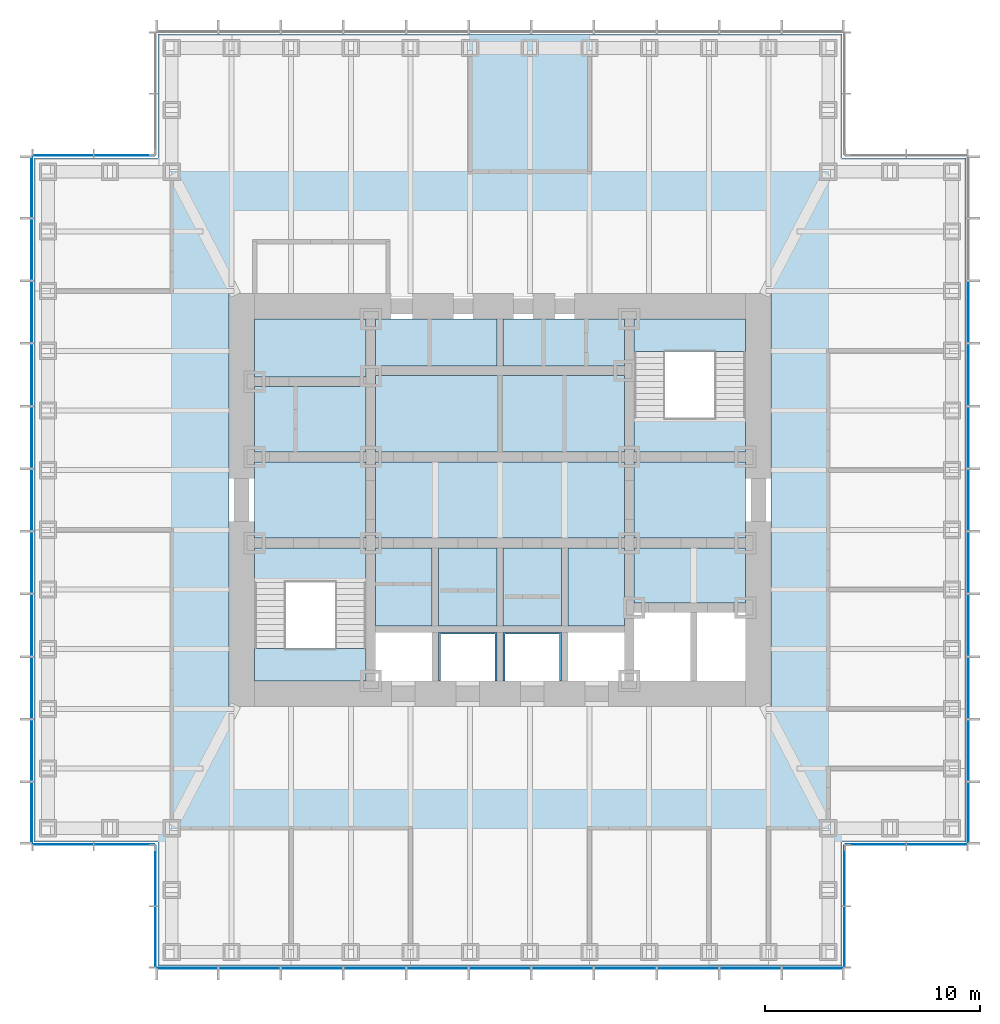
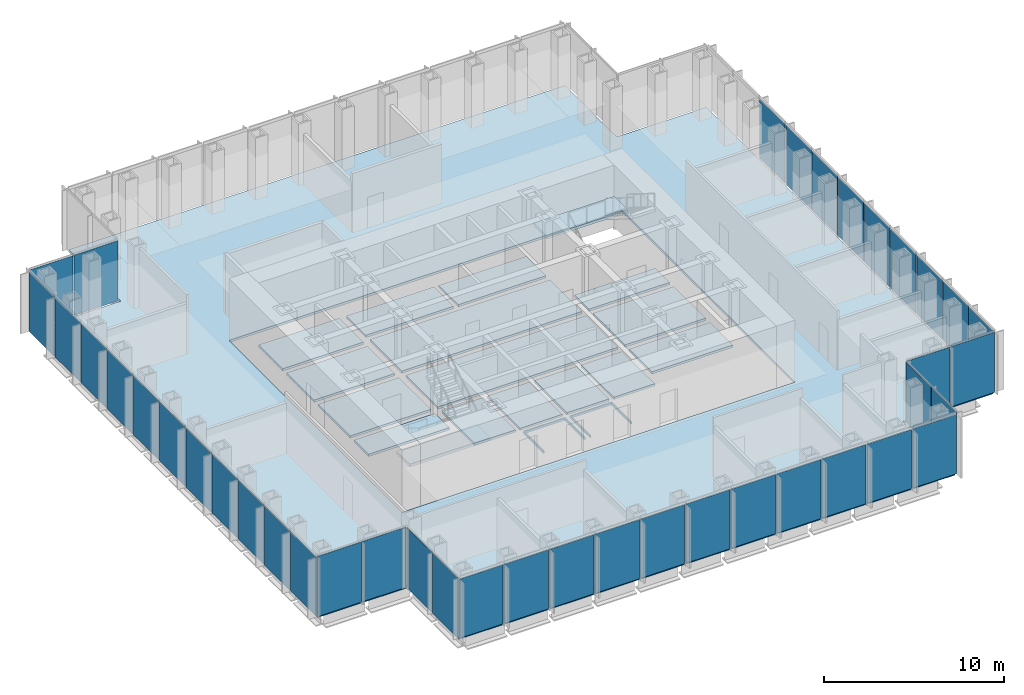
# One storey, part 7 of 16: 41 plates, 20 slabs, 10 elements without a shape of their own.
"""IFC4 building model written with IfcOpenShell, lengths in metres."""

from ifc_helpers import new_model, si_unit, direction, frame, origin, origin_2d, place, context, subcontext, project, spatial, polyline, rectangle, outline, extrude, material, layer, layer_set, type_object, element, aggregate, save


model = new_model("IFC4")

# Units and contexts
model_context = context("Model", 3, precision=1e-05, world=origin(), true_north=direction((0.0, 1.0)))
body_context = subcontext(model_context, "Body", "Model", "MODEL_VIEW")
ifc_project = project(units=[si_unit("LENGTHUNIT", "METRE"), si_unit("AREAUNIT", "SQUARE_METRE"), si_unit("VOLUMEUNIT", "CUBIC_METRE"), si_unit("PLANEANGLEUNIT", "RADIAN"), si_unit("MASSUNIT", "GRAM", prefix="KILO")], contexts=[model_context])

# Site, building, storey
site_placement = place(None, origin())
site = spatial("IfcSite", under=ifc_project, at=site_placement, CompositionType="ELEMENT")
building_placement = place(site_placement, origin())
building = spatial("IfcBuilding", under=site, at=building_placement, Name="Daluyong Arena Tower", CompositionType="ELEMENT")
storey_placement = place(building_placement, frame((0.0, 0.0, 267.10009765625)))
storey = spatial("IfcBuildingStorey", under=building, at=storey_placement, Name="L60", CompositionType="ELEMENT", Elevation=267.10009765625)

# Curtain wall, plates
ifc_material_1 = material(Name="Bronze anodised aluminium and glass", Category="aluminium")
curtain_wall_type_1 = type_object("IfcCurtainWallType", Name="Curtain wall CW4", PredefinedType="USERDEFINED", material=ifc_material_1)
curtain_wall_1_placement = place(storey_placement, origin())
curtain_wall_1 = element("IfcCurtainWall", 1, at=curtain_wall_1_placement, inside=storey, type_object=curtain_wall_type_1, Name="curtain wall L60 S", ObjectType="UNITISED CURTAIN WALL", PredefinedType="USERDEFINED")
ifc_material_2 = material(Name="Tinted laminated double glazed unit", Category="glass")
ifc_layer_1 = layer(ifc_material_2, 0.035888671875)
ifc_layer_set_1 = layer_set([ifc_layer_1], Name="Tinted laminated double glazed unit")
plate_type_1 = type_object("IfcPlateType", Name="CW4 panel 36", PredefinedType="CURTAIN_PANEL", material=ifc_layer_set_1)
plate_1_placement = place(storey_placement, frame((41.47705078125, 58.25, 0.0), z_axis=(0.0, 0.0, 1.0), x_axis=(1.0, 0.0, 0.0)))
plate_1 = element("IfcPlate", 2, at=plate_1_placement, type_object=plate_type_1, Name="curtain wall L60 S panel 1", PredefinedType="CURTAIN_PANEL", context=body_context, shape_type="SweptSolid", body=[
    extrude(rectangle(XDim=2.774169921875, YDim=0.035888671875, at=origin_2d()), origin(), (0.0, 0.0, 1.0), 4.0),
])
plate_2_placement = place(storey_placement, frame((44.363525390625, 58.25, 0.0), z_axis=(0.0, 0.0, 1.0), x_axis=(1.0, 0.0, 0.0)))
plate_2 = element("IfcPlate", 3, at=plate_2_placement, type_object=plate_type_1, Name="curtain wall L60 S panel 2", PredefinedType="CURTAIN_PANEL", context=body_context, shape_type="SweptSolid", body=[
    extrude(rectangle(XDim=2.819091796875, YDim=0.035888671875, at=origin_2d()), origin(), (0.0, 0.0, 1.0), 4.0),
])
plate_3_placement = place(storey_placement, frame((47.272705078125, 58.25, 0.0), z_axis=(0.0, 0.0, 1.0), x_axis=(1.0, 0.0, 0.0)))
plate_3 = element("IfcPlate", 4, at=plate_3_placement, type_object=plate_type_1, Name="curtain wall L60 S panel 3", PredefinedType="CURTAIN_PANEL", context=body_context, shape_type="SweptSolid", body=[
    extrude(rectangle(XDim=2.819091796875, YDim=0.035888671875, at=origin_2d()), origin(), (0.0, 0.0, 1.0), 4.0),
])
plate_4_placement = place(storey_placement, frame((50.181884765625, 58.25, 0.0), z_axis=(0.0, 0.0, 1.0), x_axis=(1.0, 0.0, 0.0)))
plate_4 = element("IfcPlate", 5, at=plate_4_placement, type_object=plate_type_1, Name="curtain wall L60 S panel 4", PredefinedType="CURTAIN_PANEL", context=body_context, shape_type="SweptSolid", body=[
    extrude(rectangle(XDim=2.819091796875, YDim=0.035888671875, at=origin_2d()), origin(), (0.0, 0.0, 1.0), 4.0),
])
plate_5_placement = place(storey_placement, frame((53.0908203125, 58.25, 0.0), z_axis=(0.0, 0.0, 1.0), x_axis=(1.0, 0.0, 0.0)))
plate_5 = element("IfcPlate", 6, at=plate_5_placement, type_object=plate_type_1, Name="curtain wall L60 S panel 5", PredefinedType="CURTAIN_PANEL", context=body_context, shape_type="SweptSolid", body=[
    extrude(rectangle(XDim=2.819091796875, YDim=0.035888671875, at=origin_2d()), origin(), (0.0, 0.0, 1.0), 4.0),
])
plate_6_placement = place(storey_placement, frame((56.0, 58.25, 0.0), z_axis=(0.0, 0.0, 1.0), x_axis=(1.0, 0.0, 0.0)))
plate_6 = element("IfcPlate", 7, at=plate_6_placement, type_object=plate_type_1, Name="curtain wall L60 S panel 6", PredefinedType="CURTAIN_PANEL", context=body_context, shape_type="SweptSolid", body=[
    extrude(rectangle(XDim=2.819091796875, YDim=0.035888671875, at=origin_2d()), origin(), (0.0, 0.0, 1.0), 4.0),
])
plate_7_placement = place(storey_placement, frame((58.9091796875, 58.25, 0.0), z_axis=(0.0, 0.0, 1.0), x_axis=(1.0, 0.0, 0.0)))
plate_7 = element("IfcPlate", 8, at=plate_7_placement, type_object=plate_type_1, Name="curtain wall L60 S panel 7", PredefinedType="CURTAIN_PANEL", context=body_context, shape_type="SweptSolid", body=[
    extrude(rectangle(XDim=2.819091796875, YDim=0.035888671875, at=origin_2d()), origin(), (0.0, 0.0, 1.0), 4.0),
])
plate_8_placement = place(storey_placement, frame((61.818115234375, 58.25, 0.0), z_axis=(0.0, 0.0, 1.0), x_axis=(1.0, 0.0, 0.0)))
plate_8 = element("IfcPlate", 9, at=plate_8_placement, type_object=plate_type_1, Name="curtain wall L60 S panel 8", PredefinedType="CURTAIN_PANEL", context=body_context, shape_type="SweptSolid", body=[
    extrude(rectangle(XDim=2.819091796875, YDim=0.035888671875, at=origin_2d()), origin(), (0.0, 0.0, 1.0), 4.0),
])
plate_9_placement = place(storey_placement, frame((64.727294921875, 58.25, 0.0), z_axis=(0.0, 0.0, 1.0), x_axis=(1.0, 0.0, 0.0)))
plate_9 = element("IfcPlate", 10, at=plate_9_placement, type_object=plate_type_1, Name="curtain wall L60 S panel 9", PredefinedType="CURTAIN_PANEL", context=body_context, shape_type="SweptSolid", body=[
    extrude(rectangle(XDim=2.819091796875, YDim=0.035888671875, at=origin_2d()), origin(), (0.0, 0.0, 1.0), 4.0),
])
plate_10_placement = place(storey_placement, frame((67.636474609375, 58.25, 0.0), z_axis=(0.0, 0.0, 1.0), x_axis=(1.0, 0.0, 0.0)))
plate_10 = element("IfcPlate", 11, at=plate_10_placement, type_object=plate_type_1, Name="curtain wall L60 S panel 10", PredefinedType="CURTAIN_PANEL", context=body_context, shape_type="SweptSolid", body=[
    extrude(rectangle(XDim=2.819091796875, YDim=0.035888671875, at=origin_2d()), origin(), (0.0, 0.0, 1.0), 4.0),
])
plate_11_placement = place(storey_placement, frame((70.52294921875, 58.25, 0.0), z_axis=(0.0, 0.0, 1.0), x_axis=(1.0, 0.0, 0.0)))
plate_11 = element("IfcPlate", 12, at=plate_11_placement, type_object=plate_type_1, Name="curtain wall L60 S panel 11", PredefinedType="CURTAIN_PANEL", context=body_context, shape_type="SweptSolid", body=[
    extrude(rectangle(XDim=2.774169921875, YDim=0.035888671875, at=origin_2d()), origin(), (0.0, 0.0, 1.0), 4.0),
])
aggregate(curtain_wall_1, [plate_1, plate_2, plate_3, plate_4, plate_5, plate_6, plate_7, plate_8, plate_9, plate_10, plate_11])

curtain_wall_2_placement = place(storey_placement, origin())
curtain_wall_2 = element("IfcCurtainWall", 13, at=curtain_wall_2_placement, inside=storey, type_object=curtain_wall_type_1, Name="curtain wall L60 E", ObjectType="UNITISED CURTAIN WALL", PredefinedType="USERDEFINED")
plate_12_placement = place(storey_placement, frame((77.75, 65.47705078125, 0.0), z_axis=(0.0, 0.0, 1.0), x_axis=(0.0, 1.0, 0.0)))
plate_12 = element("IfcPlate", 14, at=plate_12_placement, type_object=plate_type_1, Name="curtain wall L60 E panel 1", PredefinedType="CURTAIN_PANEL", context=body_context, shape_type="SweptSolid", body=[
    extrude(rectangle(XDim=2.774169921875, YDim=0.035888671875, at=origin_2d()), origin(), (0.0, 0.0, 1.0), 4.0),
])
plate_13_placement = place(storey_placement, frame((77.75, 68.363525390625, 0.0), z_axis=(0.0, 0.0, 1.0), x_axis=(0.0, 1.0, 0.0)))
plate_13 = element("IfcPlate", 15, at=plate_13_placement, type_object=plate_type_1, Name="curtain wall L60 E panel 2", PredefinedType="CURTAIN_PANEL", context=body_context, shape_type="SweptSolid", body=[
    extrude(rectangle(XDim=2.819091796875, YDim=0.035888671875, at=origin_2d()), origin(), (0.0, 0.0, 1.0), 4.0),
])
plate_14_placement = place(storey_placement, frame((77.75, 71.272705078125, 0.0), z_axis=(0.0, 0.0, 1.0), x_axis=(0.0, 1.0, 0.0)))
plate_14 = element("IfcPlate", 16, at=plate_14_placement, type_object=plate_type_1, Name="curtain wall L60 E panel 3", PredefinedType="CURTAIN_PANEL", context=body_context, shape_type="SweptSolid", body=[
    extrude(rectangle(XDim=2.819091796875, YDim=0.035888671875, at=origin_2d()), origin(), (0.0, 0.0, 1.0), 4.0),
])
plate_15_placement = place(storey_placement, frame((77.75, 74.181884765625, 0.0), z_axis=(0.0, 0.0, 1.0), x_axis=(0.0, 1.0, 0.0)))
plate_15 = element("IfcPlate", 17, at=plate_15_placement, type_object=plate_type_1, Name="curtain wall L60 E panel 4", PredefinedType="CURTAIN_PANEL", context=body_context, shape_type="SweptSolid", body=[
    extrude(rectangle(XDim=2.819091796875, YDim=0.035888671875, at=origin_2d()), origin(), (0.0, 0.0, 1.0), 4.0),
])
plate_16_placement = place(storey_placement, frame((77.75, 77.0908203125, 0.0), z_axis=(0.0, 0.0, 1.0), x_axis=(0.0, 1.0, 0.0)))
plate_16 = element("IfcPlate", 18, at=plate_16_placement, type_object=plate_type_1, Name="curtain wall L60 E panel 5", PredefinedType="CURTAIN_PANEL", context=body_context, shape_type="SweptSolid", body=[
    extrude(rectangle(XDim=2.819091796875, YDim=0.035888671875, at=origin_2d()), origin(), (0.0, 0.0, 1.0), 4.0),
])
plate_17_placement = place(storey_placement, frame((77.75, 80.0, 0.0), z_axis=(0.0, 0.0, 1.0), x_axis=(0.0, 1.0, 0.0)))
plate_17 = element("IfcPlate", 19, at=plate_17_placement, type_object=plate_type_1, Name="curtain wall L60 E panel 6", PredefinedType="CURTAIN_PANEL", context=body_context, shape_type="SweptSolid", body=[
    extrude(rectangle(XDim=2.819091796875, YDim=0.035888671875, at=origin_2d()), origin(), (0.0, 0.0, 1.0), 4.0),
])
plate_18_placement = place(storey_placement, frame((77.75, 82.9091796875, 0.0), z_axis=(0.0, 0.0, 1.0), x_axis=(0.0, 1.0, 0.0)))
plate_18 = element("IfcPlate", 20, at=plate_18_placement, type_object=plate_type_1, Name="curtain wall L60 E panel 7", PredefinedType="CURTAIN_PANEL", context=body_context, shape_type="SweptSolid", body=[
    extrude(rectangle(XDim=2.819091796875, YDim=0.035888671875, at=origin_2d()), origin(), (0.0, 0.0, 1.0), 4.0),
])
plate_19_placement = place(storey_placement, frame((77.75, 85.818115234375, 0.0), z_axis=(0.0, 0.0, 1.0), x_axis=(0.0, 1.0, 0.0)))
plate_19 = element("IfcPlate", 21, at=plate_19_placement, type_object=plate_type_1, Name="curtain wall L60 E panel 8", PredefinedType="CURTAIN_PANEL", context=body_context, shape_type="SweptSolid", body=[
    extrude(rectangle(XDim=2.819091796875, YDim=0.035888671875, at=origin_2d()), origin(), (0.0, 0.0, 1.0), 4.0),
])
plate_20_placement = place(storey_placement, frame((77.75, 88.727294921875, 0.0), z_axis=(0.0, 0.0, 1.0), x_axis=(0.0, 1.0, 0.0)))
plate_20 = element("IfcPlate", 22, at=plate_20_placement, type_object=plate_type_1, Name="curtain wall L60 E panel 9", PredefinedType="CURTAIN_PANEL", context=body_context, shape_type="SweptSolid", body=[
    extrude(rectangle(XDim=2.819091796875, YDim=0.035888671875, at=origin_2d()), origin(), (0.0, 0.0, 1.0), 4.0),
])
aggregate(curtain_wall_2, [plate_12, plate_13, plate_14, plate_15, plate_16, plate_17, plate_18, plate_19, plate_20])

curtain_wall_3_placement = place(storey_placement, origin())
curtain_wall_3 = element("IfcCurtainWall", 23, at=curtain_wall_3_placement, inside=storey, type_object=curtain_wall_type_1, Name="curtain wall L60 W", ObjectType="UNITISED CURTAIN WALL", PredefinedType="USERDEFINED")
plate_21_placement = place(storey_placement, frame((34.25, 94.52294921875, 0.0), z_axis=(0.0, 0.0, 1.0), x_axis=(0.0, -1.0, 0.0)))
plate_21 = element("IfcPlate", 24, at=plate_21_placement, type_object=plate_type_1, Name="curtain wall L60 W panel 1", PredefinedType="CURTAIN_PANEL", context=body_context, shape_type="SweptSolid", body=[
    extrude(rectangle(XDim=2.774169921875, YDim=0.035888671875, at=origin_2d()), origin(), (0.0, 0.0, 1.0), 4.0),
])
plate_22_placement = place(storey_placement, frame((34.25, 91.636474609375, 0.0), z_axis=(0.0, 0.0, 1.0), x_axis=(0.0, -1.0, 0.0)))
plate_22 = element("IfcPlate", 25, at=plate_22_placement, type_object=plate_type_1, Name="curtain wall L60 W panel 2", PredefinedType="CURTAIN_PANEL", context=body_context, shape_type="SweptSolid", body=[
    extrude(rectangle(XDim=2.819091796875, YDim=0.035888671875, at=origin_2d()), origin(), (0.0, 0.0, 1.0), 4.0),
])
plate_23_placement = place(storey_placement, frame((34.25, 88.727294921875, 0.0), z_axis=(0.0, 0.0, 1.0), x_axis=(0.0, -1.0, 0.0)))
plate_23 = element("IfcPlate", 26, at=plate_23_placement, type_object=plate_type_1, Name="curtain wall L60 W panel 3", PredefinedType="CURTAIN_PANEL", context=body_context, shape_type="SweptSolid", body=[
    extrude(rectangle(XDim=2.819091796875, YDim=0.035888671875, at=origin_2d()), origin(), (0.0, 0.0, 1.0), 4.0),
])
plate_24_placement = place(storey_placement, frame((34.25, 85.818115234375, 0.0), z_axis=(0.0, 0.0, 1.0), x_axis=(0.0, -1.0, 0.0)))
plate_24 = element("IfcPlate", 27, at=plate_24_placement, type_object=plate_type_1, Name="curtain wall L60 W panel 4", PredefinedType="CURTAIN_PANEL", context=body_context, shape_type="SweptSolid", body=[
    extrude(rectangle(XDim=2.819091796875, YDim=0.035888671875, at=origin_2d()), origin(), (0.0, 0.0, 1.0), 4.0),
])
plate_25_placement = place(storey_placement, frame((34.25, 82.9091796875, 0.0), z_axis=(0.0, 0.0, 1.0), x_axis=(0.0, -1.0, 0.0)))
plate_25 = element("IfcPlate", 28, at=plate_25_placement, type_object=plate_type_1, Name="curtain wall L60 W panel 5", PredefinedType="CURTAIN_PANEL", context=body_context, shape_type="SweptSolid", body=[
    extrude(rectangle(XDim=2.819091796875, YDim=0.035888671875, at=origin_2d()), origin(), (0.0, 0.0, 1.0), 4.0),
])
plate_26_placement = place(storey_placement, frame((34.25, 80.0, 0.0), z_axis=(0.0, 0.0, 1.0), x_axis=(0.0, -1.0, 0.0)))
plate_26 = element("IfcPlate", 29, at=plate_26_placement, type_object=plate_type_1, Name="curtain wall L60 W panel 6", PredefinedType="CURTAIN_PANEL", context=body_context, shape_type="SweptSolid", body=[
    extrude(rectangle(XDim=2.819091796875, YDim=0.035888671875, at=origin_2d()), origin(), (0.0, 0.0, 1.0), 4.0),
])
plate_27_placement = place(storey_placement, frame((34.25, 77.0908203125, 0.0), z_axis=(0.0, 0.0, 1.0), x_axis=(0.0, -1.0, 0.0)))
plate_27 = element("IfcPlate", 30, at=plate_27_placement, type_object=plate_type_1, Name="curtain wall L60 W panel 7", PredefinedType="CURTAIN_PANEL", context=body_context, shape_type="SweptSolid", body=[
    extrude(rectangle(XDim=2.819091796875, YDim=0.035888671875, at=origin_2d()), origin(), (0.0, 0.0, 1.0), 4.0),
])
plate_28_placement = place(storey_placement, frame((34.25, 74.181884765625, 0.0), z_axis=(0.0, 0.0, 1.0), x_axis=(0.0, -1.0, 0.0)))
plate_28 = element("IfcPlate", 31, at=plate_28_placement, type_object=plate_type_1, Name="curtain wall L60 W panel 8", PredefinedType="CURTAIN_PANEL", context=body_context, shape_type="SweptSolid", body=[
    extrude(rectangle(XDim=2.819091796875, YDim=0.035888671875, at=origin_2d()), origin(), (0.0, 0.0, 1.0), 4.0),
])
plate_29_placement = place(storey_placement, frame((34.25, 71.272705078125, 0.0), z_axis=(0.0, 0.0, 1.0), x_axis=(0.0, -1.0, 0.0)))
plate_29 = element("IfcPlate", 32, at=plate_29_placement, type_object=plate_type_1, Name="curtain wall L60 W panel 9", PredefinedType="CURTAIN_PANEL", context=body_context, shape_type="SweptSolid", body=[
    extrude(rectangle(XDim=2.819091796875, YDim=0.035888671875, at=origin_2d()), origin(), (0.0, 0.0, 1.0), 4.0),
])
plate_30_placement = place(storey_placement, frame((34.25, 68.363525390625, 0.0), z_axis=(0.0, 0.0, 1.0), x_axis=(0.0, -1.0, 0.0)))
plate_30 = element("IfcPlate", 33, at=plate_30_placement, type_object=plate_type_1, Name="curtain wall L60 W panel 10", PredefinedType="CURTAIN_PANEL", context=body_context, shape_type="SweptSolid", body=[
    extrude(rectangle(XDim=2.819091796875, YDim=0.035888671875, at=origin_2d()), origin(), (0.0, 0.0, 1.0), 4.0),
])
plate_31_placement = place(storey_placement, frame((34.25, 65.47705078125, 0.0), z_axis=(0.0, 0.0, 1.0), x_axis=(0.0, -1.0, 0.0)))
plate_31 = element("IfcPlate", 34, at=plate_31_placement, type_object=plate_type_1, Name="curtain wall L60 W panel 11", PredefinedType="CURTAIN_PANEL", context=body_context, shape_type="SweptSolid", body=[
    extrude(rectangle(XDim=2.774169921875, YDim=0.035888671875, at=origin_2d()), origin(), (0.0, 0.0, 1.0), 4.0),
])
aggregate(curtain_wall_3, [plate_21, plate_22, plate_23, plate_24, plate_25, plate_26, plate_27, plate_28, plate_29, plate_30, plate_31])

ifc_material_3 = material(Name="Bronze anodised aluminium and glass", Category="aluminium")
curtain_wall_type_2 = type_object("IfcCurtainWallType", Name="Curtain wall CW7", PredefinedType="USERDEFINED", material=ifc_material_3)
curtain_wall_4_placement = place(storey_placement, origin())
curtain_wall_4 = element("IfcCurtainWall", 35, at=curtain_wall_4_placement, inside=storey, type_object=curtain_wall_type_2, Name="curtain wall L60 SE-E", ObjectType="UNITISED CURTAIN WALL", PredefinedType="USERDEFINED")
ifc_material_4 = material(Name="Tinted double glazed unit", Category="glass")
ifc_layer_2 = layer(ifc_material_4, 0.028076171875)
ifc_layer_set_2 = layer_set([ifc_layer_2], Name="Tinted double glazed unit")
plate_type_2 = type_object("IfcPlateType", Name="CW7 panel 28", PredefinedType="CURTAIN_PANEL", material=ifc_layer_set_2)
plate_32_placement = place(storey_placement, frame((72.0, 59.702392578125, -0.000244140625), z_axis=(0.0, 0.0, 1.0), x_axis=(0.0, 1.0, 0.0)))
plate_32 = element("IfcPlate", 36, at=plate_32_placement, type_object=plate_type_2, Name="curtain wall L60 SE-E panel 1", PredefinedType="CURTAIN_PANEL", context=body_context, shape_type="SweptSolid", body=[
    extrude(rectangle(XDim=2.784912109375, YDim=0.028076171875, at=origin_2d()), origin(), (0.0, 0.0, 1.0), 4.080078125),
])
plate_33_placement = place(storey_placement, frame((72.0, 62.547607421875, -0.000244140625), z_axis=(0.0, 0.0, 1.0), x_axis=(0.0, 1.0, 0.0)))
plate_33 = element("IfcPlate", 37, at=plate_33_placement, type_object=plate_type_2, Name="curtain wall L60 SE-E panel 2", PredefinedType="CURTAIN_PANEL", context=body_context, shape_type="SweptSolid", body=[
    extrude(rectangle(XDim=2.784912109375, YDim=0.028076171875, at=origin_2d()), origin(), (0.0, 0.0, 1.0), 4.080078125),
])
aggregate(curtain_wall_4, [plate_32, plate_33])

curtain_wall_5_placement = place(storey_placement, origin())
curtain_wall_5 = element("IfcCurtainWall", 38, at=curtain_wall_5_placement, inside=storey, type_object=curtain_wall_type_2, Name="curtain wall L60 SE-S", ObjectType="UNITISED CURTAIN WALL", PredefinedType="USERDEFINED")
plate_34_placement = place(storey_placement, frame((73.452392578125, 64.0, -0.000244140625), z_axis=(0.0, 0.0, 1.0), x_axis=(1.0, 0.0, 0.0)))
plate_34 = element("IfcPlate", 39, at=plate_34_placement, type_object=plate_type_2, Name="curtain wall L60 SE-S panel 1", PredefinedType="CURTAIN_PANEL", context=body_context, shape_type="SweptSolid", body=[
    extrude(rectangle(XDim=2.784912109375, YDim=0.028076171875, at=origin_2d()), origin(), (0.0, 0.0, 1.0), 4.080078125),
])
plate_35_placement = place(storey_placement, frame((76.297607421875, 64.0, -0.000244140625), z_axis=(0.0, 0.0, 1.0), x_axis=(1.0, 0.0, 0.0)))
plate_35 = element("IfcPlate", 40, at=plate_35_placement, type_object=plate_type_2, Name="curtain wall L60 SE-S panel 2", PredefinedType="CURTAIN_PANEL", context=body_context, shape_type="SweptSolid", body=[
    extrude(rectangle(XDim=2.784912109375, YDim=0.028076171875, at=origin_2d()), origin(), (0.0, 0.0, 1.0), 4.080078125),
])
aggregate(curtain_wall_5, [plate_34, plate_35])

curtain_wall_6_placement = place(storey_placement, origin())
curtain_wall_6 = element("IfcCurtainWall", 41, at=curtain_wall_6_placement, inside=storey, type_object=curtain_wall_type_2, Name="curtain wall L60 NW-N", ObjectType="UNITISED CURTAIN WALL", PredefinedType="USERDEFINED")
plate_36_placement = place(storey_placement, frame((38.547607421875, 96.0, -0.000244140625), z_axis=(0.0, 0.0, 1.0), x_axis=(-1.0, 0.0, 0.0)))
plate_36 = element("IfcPlate", 42, at=plate_36_placement, type_object=plate_type_2, Name="curtain wall L60 NW-N panel 1", PredefinedType="CURTAIN_PANEL", context=body_context, shape_type="SweptSolid", body=[
    extrude(rectangle(XDim=2.784912109375, YDim=0.028076171875, at=origin_2d()), origin(), (0.0, 0.0, 1.0), 4.080078125),
])
plate_37_placement = place(storey_placement, frame((35.702392578125, 96.0, -0.000244140625), z_axis=(0.0, 0.0, 1.0), x_axis=(-1.0, 0.0, 0.0)))
plate_37 = element("IfcPlate", 43, at=plate_37_placement, type_object=plate_type_2, Name="curtain wall L60 NW-N panel 2", PredefinedType="CURTAIN_PANEL", context=body_context, shape_type="SweptSolid", body=[
    extrude(rectangle(XDim=2.784912109375, YDim=0.028076171875, at=origin_2d()), origin(), (0.0, 0.0, 1.0), 4.080078125),
])
aggregate(curtain_wall_6, [plate_36, plate_37])

curtain_wall_7_placement = place(storey_placement, origin())
curtain_wall_7 = element("IfcCurtainWall", 44, at=curtain_wall_7_placement, inside=storey, type_object=curtain_wall_type_2, Name="curtain wall L60 SW-S", ObjectType="UNITISED CURTAIN WALL", PredefinedType="USERDEFINED")
plate_38_placement = place(storey_placement, frame((35.702392578125, 64.0, -0.000244140625), z_axis=(0.0, 0.0, 1.0), x_axis=(1.0, 0.0, 0.0)))
plate_38 = element("IfcPlate", 45, at=plate_38_placement, type_object=plate_type_2, Name="curtain wall L60 SW-S panel 1", PredefinedType="CURTAIN_PANEL", context=body_context, shape_type="SweptSolid", body=[
    extrude(rectangle(XDim=2.784912109375, YDim=0.028076171875, at=origin_2d()), origin(), (0.0, 0.0, 1.0), 4.080078125),
])
plate_39_placement = place(storey_placement, frame((38.547607421875, 64.0, -0.000244140625), z_axis=(0.0, 0.0, 1.0), x_axis=(1.0, 0.0, 0.0)))
plate_39 = element("IfcPlate", 46, at=plate_39_placement, type_object=plate_type_2, Name="curtain wall L60 SW-S panel 2", PredefinedType="CURTAIN_PANEL", context=body_context, shape_type="SweptSolid", body=[
    extrude(rectangle(XDim=2.784912109375, YDim=0.028076171875, at=origin_2d()), origin(), (0.0, 0.0, 1.0), 4.080078125),
])
aggregate(curtain_wall_7, [plate_38, plate_39])

curtain_wall_8_placement = place(storey_placement, origin())
curtain_wall_8 = element("IfcCurtainWall", 47, at=curtain_wall_8_placement, inside=storey, type_object=curtain_wall_type_2, Name="curtain wall L60 SW-W", ObjectType="UNITISED CURTAIN WALL", PredefinedType="USERDEFINED")
plate_40_placement = place(storey_placement, frame((40.0, 62.547607421875, -0.000244140625), z_axis=(0.0, 0.0, 1.0), x_axis=(0.0, -1.0, 0.0)))
plate_40 = element("IfcPlate", 48, at=plate_40_placement, type_object=plate_type_2, Name="curtain wall L60 SW-W panel 1", PredefinedType="CURTAIN_PANEL", context=body_context, shape_type="SweptSolid", body=[
    extrude(rectangle(XDim=2.784912109375, YDim=0.028076171875, at=origin_2d()), origin(), (0.0, 0.0, 1.0), 4.080078125),
])
plate_41_placement = place(storey_placement, frame((40.0, 59.702392578125, -0.000244140625), z_axis=(0.0, 0.0, 1.0), x_axis=(0.0, -1.0, 0.0)))
plate_41 = element("IfcPlate", 49, at=plate_41_placement, type_object=plate_type_2, Name="curtain wall L60 SW-W panel 2", PredefinedType="CURTAIN_PANEL", context=body_context, shape_type="SweptSolid", body=[
    extrude(rectangle(XDim=2.784912109375, YDim=0.028076171875, at=origin_2d()), origin(), (0.0, 0.0, 1.0), 4.080078125),
])
aggregate(curtain_wall_8, [plate_40, plate_41])

# Stair, slab
ifc_material_5 = material(Name="Concrete fc' 35 MPa", Category="concrete")
stair_type = type_object("IfcStairType", Name="Core exit stair", PredefinedType="HALF_TURN_STAIR", material=ifc_material_5)
stair_1_placement = place(storey_placement, origin())
stair_1 = element("IfcStair", 50, at=stair_1_placement, inside=storey, type_object=stair_type, Name="exit stair A L60", PredefinedType="HALF_TURN_STAIR")
ifc_material_6 = material(Name="Concrete fc' 35 MPa", Category="concrete")
ifc_layer_3 = layer(ifc_material_6, 0.199951171875)
ifc_layer_set_3 = layer_set([ifc_layer_3], Name="Concrete fc' 35 MPa")
slab_type_1 = type_object("IfcSlabType", Name="Stair landing 200", PredefinedType="LANDING", material=ifc_layer_set_3)
slab_1_placement = place(storey_placement, frame((0.0, 0.0, 1.89990234375)))
slab_1 = element("IfcSlab", 51, at=slab_1_placement, type_object=slab_type_1, Name="STA landing 1", PredefinedType="LANDING", context=body_context, shape_type="SweptSolid", body=[
    extrude(outline(polyline([(44.60009765625, 71.60009765625), (49.77490234375, 71.60009765625), (49.77490234375, 73.094970703125), (44.60009765625, 73.094970703125), (44.60009765625, 71.60009765625)])), origin(), (0.0, 0.0, 1.0), 0.199951171875),
])
aggregate(stair_1, [slab_1])

stair_2_placement = place(storey_placement, origin())
stair_2 = element("IfcStair", 52, at=stair_2_placement, inside=storey, type_object=stair_type, Name="exit stair B L60", PredefinedType="HALF_TURN_STAIR")
slab_2_placement = place(storey_placement, frame((0.0, 0.0, 1.89990234375)))
slab_2 = element("IfcSlab", 53, at=slab_2_placement, type_object=slab_type_1, Name="STB landing 1", PredefinedType="LANDING", context=body_context, shape_type="SweptSolid", body=[
    extrude(outline(polyline([(62.22509765625, 86.905029296875), (67.39990234375, 86.905029296875), (67.39990234375, 88.39990234375), (62.22509765625, 88.39990234375), (62.22509765625, 86.905029296875)])), origin(), (0.0, 0.0, 1.0), 0.199951171875),
])
aggregate(stair_2, [slab_2])

# Slabs
ifc_material_7 = material(Name="Concrete fc' 35 MPa", Category="concrete")
ifc_layer_4 = layer(ifc_material_7, 0.159912109375)
ifc_layer_set_4 = layer_set([ifc_layer_4], Name="Concrete fc' 35 MPa")
slab_type_2 = type_object("IfcSlabType", Name="Tower floor slab 160", PredefinedType="FLOOR", material=ifc_layer_set_4)
slab_3_placement = place(storey_placement, frame((0.0, 0.0, -0.16015625)))
element("IfcSlab", 54, at=slab_3_placement, inside=storey, type_object=slab_type_2, Name="floor L60 part 1", PredefinedType="FLOOR", context=body_context, shape_type="SweptSolid", body=[
    extrude(outline(polyline([(49.77490234375, 77.77490234375), (44.60009765625, 77.77490234375), (44.60009765625, 76.175048828125), (49.77490234375, 76.175048828125), (49.77490234375, 77.77490234375)])), origin(), (0.0, 0.0, 1.0), 0.16015625),
])
slab_4_placement = place(storey_placement, frame((0.0, 0.0, -0.16015625)))
element("IfcSlab", 55, at=slab_4_placement, inside=storey, type_object=slab_type_2, Name="floor L60 part 2", PredefinedType="FLOOR", context=body_context, shape_type="SweptSolid", body=[
    extrude(outline(polyline([(49.77490234375, 78.22509765625), (49.77490234375, 81.77490234375), (44.60009765625, 81.77490234375), (44.60009765625, 78.22509765625), (49.77490234375, 78.22509765625)])), origin(), (0.0, 0.0, 1.0), 0.16015625),
])
slab_5_placement = place(storey_placement, frame((0.0, 0.0, -0.16015625)))
element("IfcSlab", 56, at=slab_5_placement, inside=storey, type_object=slab_type_2, Name="floor L60 part 3", PredefinedType="FLOOR", context=body_context, shape_type="SweptSolid", body=[
    extrude(outline(polyline([(44.60009765625, 85.27490234375), (44.60009765625, 82.22509765625), (49.77490234375, 82.22509765625), (49.77490234375, 85.27490234375), (44.60009765625, 85.27490234375)])), origin(), (0.0, 0.0, 1.0), 0.16015625),
])
slab_6_placement = place(storey_placement, frame((0.0, 0.0, -0.16015625)))
element("IfcSlab", 57, at=slab_6_placement, inside=storey, type_object=slab_type_2, Name="floor L60 part 4", PredefinedType="FLOOR", context=body_context, shape_type="SweptSolid", body=[
    extrude(outline(polyline([(44.60009765625, 88.39990234375), (44.60009765625, 85.72509765625), (49.77490234375, 85.72509765625), (49.77490234375, 88.39990234375), (44.60009765625, 88.39990234375)])), origin(), (0.0, 0.0, 1.0), 0.16015625),
])
slab_7_placement = place(storey_placement, frame((0.0, 0.0, -0.16015625)))
element("IfcSlab", 58, at=slab_7_placement, inside=storey, type_object=slab_type_2, Name="floor L60 part 5", PredefinedType="FLOOR", context=body_context, shape_type="SweptSolid", body=[
    extrude(outline(polyline([(52.85009765625, 74.14990234375), (52.85009765625, 77.77490234375), (50.22509765625, 77.77490234375), (50.22509765625, 74.14990234375), (52.85009765625, 74.14990234375)])), origin(), (0.0, 0.0, 1.0), 0.16015625),
])
slab_8_placement = place(storey_placement, frame((0.0, 0.0, -0.16015625)))
element("IfcSlab", 59, at=slab_8_placement, inside=storey, type_object=slab_type_2, Name="floor L60 part 6", PredefinedType="FLOOR", context=body_context, shape_type="SweptSolid", body=[
    extrude(outline(polyline([(50.22509765625, 88.39990234375), (50.22509765625, 86.22509765625), (55.85009765625, 86.22509765625), (55.85009765625, 88.39990234375), (50.22509765625, 88.39990234375)])), origin(), (0.0, 0.0, 1.0), 0.16015625),
])
slab_9_placement = place(storey_placement, frame((0.0, 0.0, -0.16015625)))
element("IfcSlab", 60, at=slab_9_placement, inside=storey, type_object=slab_type_2, Name="floor L60 part 7", PredefinedType="FLOOR", context=body_context, shape_type="SweptSolid", body=[
    extrude(outline(polyline([(53.22509765625, 71.60009765625), (53.22509765625, 73.77490234375), (55.77490234375, 73.77490234375), (55.77490234375, 71.60009765625), (55.85009765625, 71.60009765625), (55.85009765625, 73.85009765625), (53.14990234375, 73.85009765625), (53.14990234375, 71.60009765625), (53.22509765625, 71.60009765625)])), origin(), (0.0, 0.0, 1.0), 0.16015625),
])
slab_10_placement = place(storey_placement, frame((0.0, 0.0, -0.16015625)))
element("IfcSlab", 61, at=slab_10_placement, inside=storey, type_object=slab_type_2, Name="floor L60 part 8", PredefinedType="FLOOR", context=body_context, shape_type="SweptSolid", body=[
    extrude(outline(polyline([(53.14990234375, 74.14990234375), (55.85009765625, 74.14990234375), (55.85009765625, 77.77490234375), (53.14990234375, 77.77490234375), (53.14990234375, 74.14990234375)])), origin(), (0.0, 0.0, 1.0), 0.16015625),
])
slab_11_placement = place(storey_placement, frame((0.0, 0.0, -0.16015625)))
element("IfcSlab", 62, at=slab_11_placement, inside=storey, type_object=slab_type_2, Name="floor L60 part 9", PredefinedType="FLOOR", context=body_context, shape_type="SweptSolid", body=[
    extrude(outline(polyline([(40.10009765625, 64.10009765625), (40.10009765625, 58.35009765625), (71.89990234375, 58.35009765625), (71.89990234375, 64.10009765625), (77.64990234375, 64.10009765625), (77.64990234375, 95.89990234375), (71.89990234375, 95.89990234375), (71.89990234375, 101.64990234375), (40.10009765625, 101.64990234375), (40.10009765625, 95.89990234375), (34.35009765625, 95.89990234375), (34.35009765625, 64.10009765625), (40.10009765625, 64.10009765625)]), holes=[polyline([(68.60009765625, 89.60009765625), (68.60009765625, 70.39990234375), (43.39990234375, 70.39990234375), (43.39990234375, 89.60009765625), (68.60009765625, 89.60009765625)])]), origin(), (0.0, 0.0, 1.0), 0.16015625),
])
slab_12_placement = place(storey_placement, frame((0.0, 0.0, -0.16015625)))
element("IfcSlab", 63, at=slab_12_placement, inside=storey, type_object=slab_type_2, Name="floor L60 part 10", PredefinedType="FLOOR", context=body_context, shape_type="SweptSolid", body=[
    extrude(outline(polyline([(50.22509765625, 81.77490234375), (50.22509765625, 78.22509765625), (61.77490234375, 78.22509765625), (61.77490234375, 81.77490234375), (50.22509765625, 81.77490234375)])), origin(), (0.0, 0.0, 1.0), 0.16015625),
])
slab_13_placement = place(storey_placement, frame((0.0, 0.0, -0.16015625)))
element("IfcSlab", 64, at=slab_13_placement, inside=storey, type_object=slab_type_2, Name="floor L60 part 11", PredefinedType="FLOOR", context=body_context, shape_type="SweptSolid", body=[
    extrude(outline(polyline([(50.22509765625, 85.77490234375), (50.22509765625, 82.22509765625), (61.77490234375, 82.22509765625), (61.77490234375, 85.77490234375), (50.22509765625, 85.77490234375)])), origin(), (0.0, 0.0, 1.0), 0.16015625),
])
slab_14_placement = place(storey_placement, frame((0.0, 0.0, -0.16015625)))
element("IfcSlab", 65, at=slab_14_placement, inside=storey, type_object=slab_type_2, Name="floor L60 part 12", PredefinedType="FLOOR", context=body_context, shape_type="SweptSolid", body=[
    extrude(outline(polyline([(56.22509765625, 71.60009765625), (56.22509765625, 73.77490234375), (58.77490234375, 73.77490234375), (58.77490234375, 71.60009765625), (58.85009765625, 71.60009765625), (58.85009765625, 73.85009765625), (56.14990234375, 73.85009765625), (56.14990234375, 71.60009765625), (56.22509765625, 71.60009765625)])), origin(), (0.0, 0.0, 1.0), 0.16015625),
])
slab_15_placement = place(storey_placement, frame((0.0, 0.0, -0.16015625)))
element("IfcSlab", 66, at=slab_15_placement, inside=storey, type_object=slab_type_2, Name="floor L60 part 13", PredefinedType="FLOOR", context=body_context, shape_type="SweptSolid", body=[
    extrude(outline(polyline([(58.85009765625, 77.77490234375), (56.14990234375, 77.77490234375), (56.14990234375, 74.14990234375), (58.85009765625, 74.14990234375), (58.85009765625, 77.77490234375)])), origin(), (0.0, 0.0, 1.0), 0.16015625),
])
slab_16_placement = place(storey_placement, frame((0.0, 0.0, -0.16015625)))
element("IfcSlab", 67, at=slab_16_placement, inside=storey, type_object=slab_type_2, Name="floor L60 part 14", PredefinedType="FLOOR", context=body_context, shape_type="SweptSolid", body=[
    extrude(outline(polyline([(56.14990234375, 88.39990234375), (56.14990234375, 86.22509765625), (61.77490234375, 86.22509765625), (61.77490234375, 88.39990234375), (56.14990234375, 88.39990234375)])), origin(), (0.0, 0.0, 1.0), 0.16015625),
])
slab_17_placement = place(storey_placement, frame((0.0, 0.0, -0.16015625)))
element("IfcSlab", 68, at=slab_17_placement, inside=storey, type_object=slab_type_2, Name="floor L60 part 15", PredefinedType="FLOOR", context=body_context, shape_type="SweptSolid", body=[
    extrude(outline(polyline([(61.77490234375, 77.77490234375), (59.14990234375, 77.77490234375), (59.14990234375, 74.14990234375), (61.77490234375, 74.14990234375), (61.77490234375, 77.77490234375)])), origin(), (0.0, 0.0, 1.0), 0.16015625),
])
slab_18_placement = place(storey_placement, frame((0.0, 0.0, -0.16015625)))
element("IfcSlab", 69, at=slab_18_placement, inside=storey, type_object=slab_type_2, Name="floor L60 part 16", PredefinedType="FLOOR", context=body_context, shape_type="SweptSolid", body=[
    extrude(outline(polyline([(67.39990234375, 75.22509765625), (67.39990234375, 77.77490234375), (62.22509765625, 77.77490234375), (62.22509765625, 75.22509765625), (67.39990234375, 75.22509765625)])), origin(), (0.0, 0.0, 1.0), 0.16015625),
])
slab_19_placement = place(storey_placement, frame((0.0, 0.0, -0.16015625)))
element("IfcSlab", 70, at=slab_19_placement, inside=storey, type_object=slab_type_2, Name="floor L60 part 17", PredefinedType="FLOOR", context=body_context, shape_type="SweptSolid", body=[
    extrude(outline(polyline([(67.39990234375, 78.22509765625), (67.39990234375, 81.77490234375), (62.22509765625, 81.77490234375), (62.22509765625, 78.22509765625), (67.39990234375, 78.22509765625)])), origin(), (0.0, 0.0, 1.0), 0.16015625),
])
slab_20_placement = place(storey_placement, frame((0.0, 0.0, -0.16015625)))
element("IfcSlab", 71, at=slab_20_placement, inside=storey, type_object=slab_type_2, Name="floor L60 part 18", PredefinedType="FLOOR", context=body_context, shape_type="SweptSolid", body=[
    extrude(outline(polyline([(67.39990234375, 83.824951171875), (62.22509765625, 83.824951171875), (62.22509765625, 82.22509765625), (67.39990234375, 82.22509765625), (67.39990234375, 83.824951171875)])), origin(), (0.0, 0.0, 1.0), 0.16015625),
])

save(model, "model.ifc")
